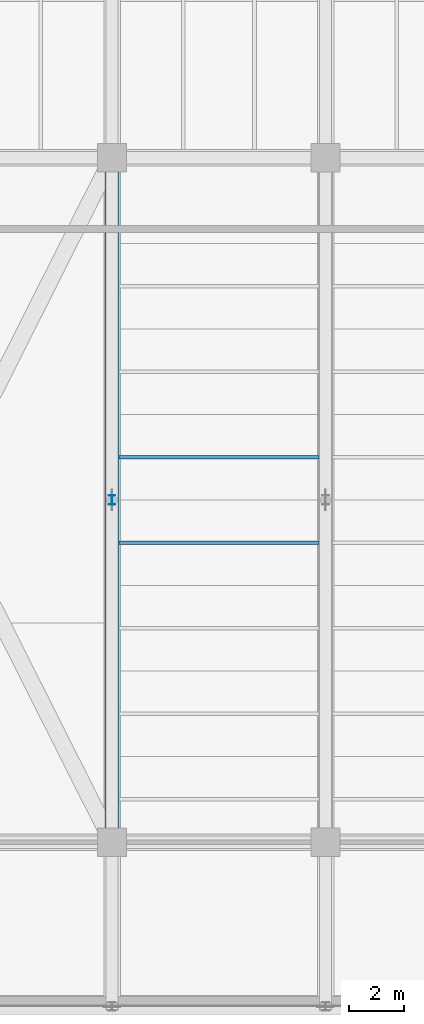
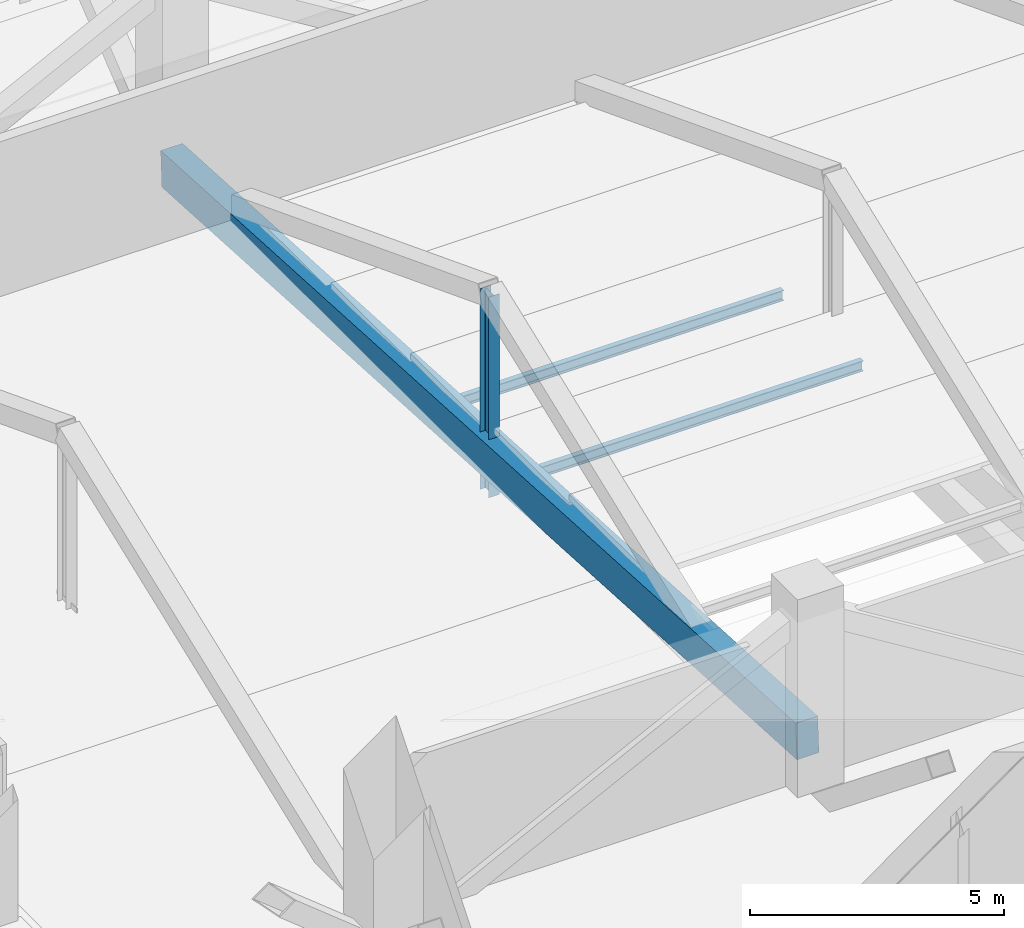
# One storey, part 44 of 127: 2 beams, 2 members.
"""IFC4 building model written with IfcOpenShell, lengths in metres."""

from ifc_helpers import new_model, si_unit, derived_unit, direction, frame, origin, origin_2d, place, context, subcontext, project, spatial, rectangle, i_section, extrude, material, material_profile, profile_set, type_object, element, save


model = new_model("IFC4")

# Units and contexts
model_context = context("Model", 3, precision=1e-05, world=origin(), true_north=direction((0.0, 1.0)))
body_context = subcontext(model_context, "Body", "Model", "MODEL_VIEW")
ifc_project = project(units=[si_unit("LENGTHUNIT", "METRE"), si_unit("AREAUNIT", "SQUARE_METRE"), si_unit("VOLUMEUNIT", "CUBIC_METRE"), si_unit("PLANEANGLEUNIT", "RADIAN"), si_unit("MASSUNIT", "GRAM", prefix="KILO"), derived_unit("THERMALTRANSMITTANCEUNIT", [(si_unit("POWERUNIT", "WATT"), 1), (si_unit("LENGTHUNIT", "METRE"), -2), (si_unit("THERMODYNAMICTEMPERATUREUNIT", "KELVIN"), -1)])], contexts=[model_context])

# Site, building, storey
site_placement = place(None, origin())
site = spatial("IfcSite", under=ifc_project, at=site_placement, CompositionType="ELEMENT")
building_placement = place(site_placement, origin())
building = spatial("IfcBuilding", under=site, at=building_placement, Name="Nallur Shell Playhouse", CompositionType="ELEMENT")
storey_placement = place(building_placement, frame((0.0, 0.0, 5.39990234375)))
storey = spatial("IfcBuildingStorey", under=building, at=storey_placement, Name="L02", CompositionType="ELEMENT", Elevation=5.39990234375)

# Beams
ifc_material_1 = material(Name="Steel E250", Category="steel")
ifc_material_profile_1 = material_profile(ifc_material_1, i_section(OverallWidth=0.125, OverallDepth=0.25, WebThickness=0.0068359375, FlangeThickness=0.012451171875, FilletRadius=0.012939453125, at=origin_2d()), Name="ISMB 250")
ifc_profile_set_1 = profile_set([ifc_material_profile_1], Name="Steel E250")
beam_type = type_object("IfcBeamType", Name="BM-JST-ISMB250", PredefinedType="JOIST", material=ifc_profile_set_1)
for number, where, z_axis, x_axis, name in (
    (1, (79.847900390625, 30.0625, 0.485107421875), (1.0, 0.0, 0.0), (0.0, 1.0, 0.0), "Seating tier step bearer STALLS row 4 (79.6-87.4)"),
    (2, (79.847900390625, 26.9375, 0.68505859375), (1.0, 0.0, 0.0), (0.0, 1.0, 0.0), "Seating tier step bearer STALLS row 5 (79.6-87.4)"),
):
    element("IfcBeam", number, at=place(storey_placement, frame(where, z_axis=z_axis, x_axis=x_axis)), inside=storey, type_object=beam_type, Name=name, PredefinedType="JOIST", context=body_context, shape_type="SweptSolid", body=[
        extrude(i_section(OverallWidth=0.125, OverallDepth=0.25, WebThickness=0.0068359375, FlangeThickness=0.012451171875, FilletRadius=0.012939453125, at=origin_2d()), origin(), (0.0, 0.0, 1.0), 7.30419921875),
    ])

# Members
ifc_material_2 = material(Name="Concrete M40", Category="concrete")
ifc_material_profile_2 = material_profile(ifc_material_2, rectangle(XDim=0.5, YDim=0.85009765625, at=origin_2d()), Name="RC 500x850")
ifc_profile_set_2 = profile_set([ifc_material_profile_2], Name="Concrete M40")
member_type_1 = type_object("IfcMemberType", Name="MB-RAKER-RC", PredefinedType="STRINGER", material=ifc_profile_set_2)
member_1_placement = place(storey_placement, frame((79.60009765625, 41.0, -0.414794921875), z_axis=(0.0, -0.998435896042, 0.055908510038), x_axis=(1.0, 0.0, 0.0)))
element("IfcMember", 3, at=member_1_placement, inside=storey, type_object=member_type_1, Name="Auditorium raker beam STALLS RAKER 1", PredefinedType="STRINGER", context=body_context, shape_type="SweptSolid", body=[
    extrude(rectangle(XDim=0.5, YDim=0.85009765625, at=origin_2d()), origin(), (0.0, 0.0, 1.0), 25.0390625),
])
ifc_material_3 = material(Name="Steel E350", Category="steel")
ifc_material_profile_3 = material_profile(ifc_material_3, i_section(OverallWidth=0.25, OverallDepth=0.35009765625, WebThickness=0.010009765625, FlangeThickness=0.01171875, FilletRadius=0.011962890625, at=origin_2d()), Name="ISHB 350")
ifc_profile_set_3 = profile_set([ifc_material_profile_3], Name="Steel E350")
member_type_2 = type_object("IfcMemberType", Name="MB-TT-POST", PredefinedType="POST", material=ifc_profile_set_3)
member_2_placement = place(storey_placement, frame((79.60009765625, 28.5, -0.679931640625), z_axis=(0.0, 0.0, 1.0), x_axis=(1.0, 0.0, 0.0)))
element("IfcMember", 4, at=member_2_placement, inside=storey, type_object=member_type_2, Name="Transfer truss TT-4 web post 3", PredefinedType="POST", context=body_context, shape_type="SweptSolid", body=[
    extrude(i_section(OverallWidth=0.25, OverallDepth=0.35009765625, WebThickness=0.010009765625, FlangeThickness=0.01171875, FilletRadius=0.011962890625, at=origin_2d()), origin(), (0.0, 0.0, 1.0), 4.820068359375),
])

save(model, "model.ifc")
